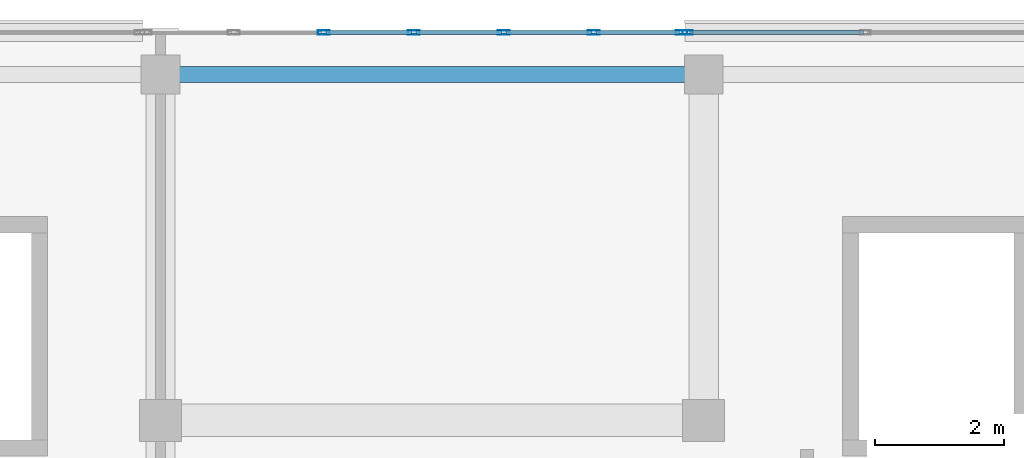
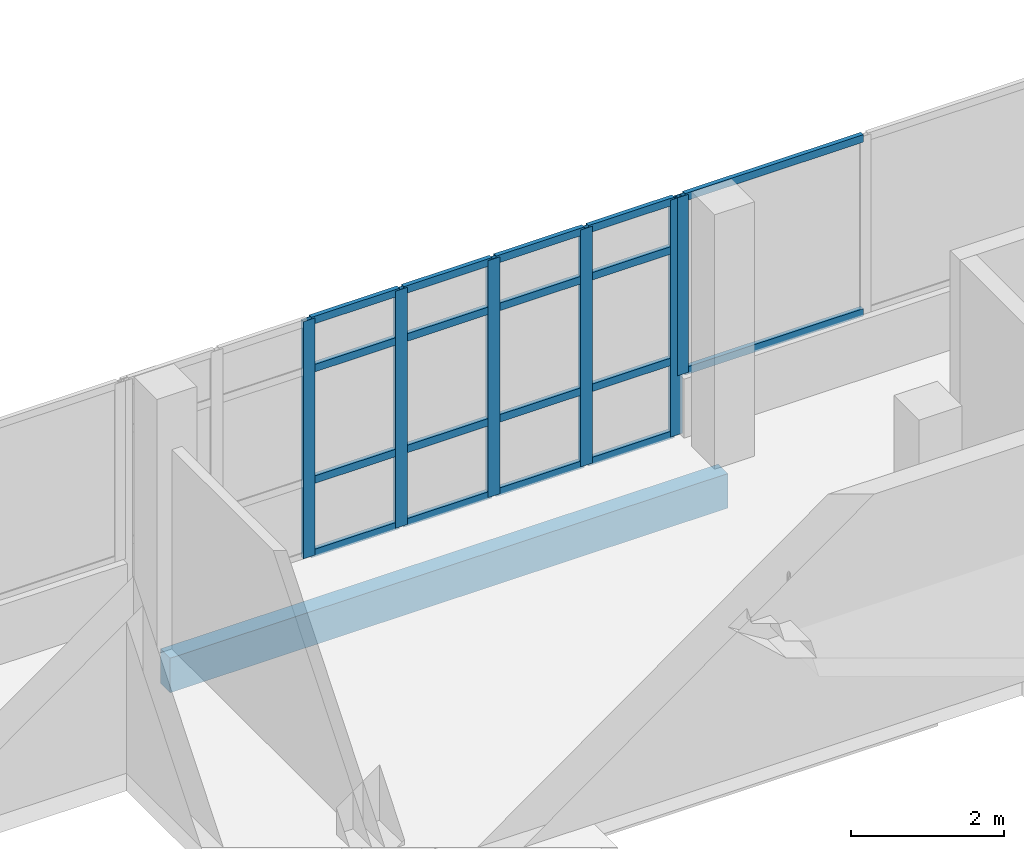
# One storey, part 37 of 78: 24 members, 1 beam, 2 elements without a shape of their own.
"""IFC4 building model written with IfcOpenShell, lengths in metres."""

from ifc_helpers import new_model, si_unit, direction, frame, origin, origin_2d, place, context, subcontext, project, spatial, rectangle, hollow_rectangle, extrude, material, material_profile, profile_set, type_object, element, aggregate, save


model = new_model("IFC4")

# Units and contexts
model_context = context("Model", 3, precision=1e-05, world=origin(), true_north=direction((0.0, 1.0)))
body_context = subcontext(model_context, "Body", "Model", "MODEL_VIEW")
ifc_project = project(units=[si_unit("LENGTHUNIT", "METRE"), si_unit("AREAUNIT", "SQUARE_METRE"), si_unit("VOLUMEUNIT", "CUBIC_METRE"), si_unit("PLANEANGLEUNIT", "RADIAN"), si_unit("MASSUNIT", "GRAM", prefix="KILO")], contexts=[model_context])

# Site, building, storey
site_placement = place(None, origin())
site = spatial("IfcSite", under=ifc_project, at=site_placement, CompositionType="ELEMENT")
building_placement = place(site_placement, origin())
building = spatial("IfcBuilding", under=site, at=building_placement, Name="Selatvlak General Hospital", CompositionType="ELEMENT")
storey_placement = place(building_placement, frame((0.0, 0.0, 23.25)))
storey = spatial("IfcBuildingStorey", under=building, at=storey_placement, Name="L05", CompositionType="ELEMENT", Elevation=23.25)

# Beam
ifc_material_1 = material(Name="Concrete C40/50", Category="concrete")
ifc_material_profile_1 = material_profile(ifc_material_1, rectangle(XDim=0.25, YDim=0.550048828125, at=origin_2d()), Name="RC-SP 250x550")
ifc_profile_set_1 = profile_set([ifc_material_profile_1], Name="Concrete C40/50")
beam_type = type_object("IfcBeamType", Name="BM-SP2", PredefinedType="SPANDREL", material=ifc_profile_set_1)
beam_placement = place(storey_placement, frame((132.0, 119.35009765625, -0.554931640625), z_axis=(1.0, 0.0, 0.0), x_axis=(0.0, 1.0, 0.0)))
element("IfcBeam", 1, at=beam_placement, inside=storey, type_object=beam_type, Name="Beam BMR-L05-1983", PredefinedType="SPANDREL", context=body_context, shape_type="SweptSolid", body=[
    extrude(rectangle(XDim=0.25, YDim=0.550048828125, at=origin_2d()), origin(), (0.0, 0.0, 1.0), 8.39990234375),
])

# Curtain wall, member
ifc_material_2 = material(Name="Solar-control Low-E double glazing", Category="glass")
curtain_wall_type_1 = type_object("IfcCurtainWallType", Name="CW-CW-01", PredefinedType="USERDEFINED", material=ifc_material_2)
curtain_wall_1_placement = place(storey_placement, origin())
curtain_wall_1 = element("IfcCurtainWall", 2, at=curtain_wall_1_placement, inside=storey, type_object=curtain_wall_type_1, Name="Glazed facade curtain wall CW-L05-0561", ObjectType="UNITISED CURTAIN WALL", PredefinedType="USERDEFINED")
ifc_material_3 = material(Name="Dark anodised aluminium mullion", Category="aluminium")
ifc_material_profile_2 = material_profile(ifc_material_3, hollow_rectangle(XDim=0.06494140625, YDim=0.159912109375, WallThickness=0.00390625, at=origin_2d()), Name="AL-MUL 65x160x4")
ifc_profile_set_2 = profile_set([ifc_material_profile_2], Name="Dark anodised aluminium mullion")
member_type_1 = type_object("IfcMemberType", Name="CWM-01", PredefinedType="MULLION", material=ifc_profile_set_2)
member_1_placement = place(storey_placement, frame((140.152587890625, 120.0, 0.93994140625), z_axis=(0.0, 0.0, 1.0), x_axis=(0.0, 1.0, 0.0)))
member_1 = element("IfcMember", 3, at=member_1_placement, type_object=member_type_1, Name="CW-01 mullion 1", PredefinedType="MULLION", context=body_context, shape_type="SweptSolid", body=[
    extrude(hollow_rectangle(XDim=0.06494140625, YDim=0.159912109375, WallThickness=0.00390625, at=origin_2d()), origin(), (0.0, 0.0, 1.0), 2.8349609375),
])

# Curtain wall, members
curtain_wall_type_2 = type_object("IfcCurtainWallType", Name="CW-CW-04", PredefinedType="USERDEFINED", material=ifc_material_2)
curtain_wall_2_placement = place(storey_placement, origin())
curtain_wall_2 = element("IfcCurtainWall", 4, at=curtain_wall_2_placement, inside=storey, type_object=curtain_wall_type_2, Name="Glazed facade curtain wall CW-L05-0560", ObjectType="STICK GLAZING WALL", PredefinedType="USERDEFINED")
ifc_material_profile_3 = material_profile(ifc_material_3, hollow_rectangle(XDim=0.06494140625, YDim=0.179931640625, WallThickness=0.00439453125, at=origin_2d()), Name="AL-MUL 65x180x4.5")
ifc_profile_set_3 = profile_set([ifc_material_profile_3], Name="Dark anodised aluminium mullion")
member_type_2 = type_object("IfcMemberType", Name="CWM-02", PredefinedType="MULLION", material=ifc_profile_set_3)
member_2_placement = place(storey_placement, frame((134.52392578125, 120.0, 0.0), z_axis=(0.0, 0.0, 1.0), x_axis=(0.0, 1.0, 0.0)))
member_2 = element("IfcMember", 5, at=member_2_placement, type_object=member_type_2, Name="CW-04 mullion 3", PredefinedType="MULLION", context=body_context, shape_type="SweptSolid", body=[
    extrude(hollow_rectangle(XDim=0.06494140625, YDim=0.179931640625, WallThickness=0.00439453125, at=origin_2d()), origin(), (0.0, 0.0, 1.0), 3.77490234375),
])
member_3_placement = place(storey_placement, frame((135.91552734375, 120.0, 0.0), z_axis=(0.0, 0.0, 1.0), x_axis=(0.0, 1.0, 0.0)))
member_3 = element("IfcMember", 6, at=member_3_placement, type_object=member_type_2, Name="CW-04 mullion 4", PredefinedType="MULLION", context=body_context, shape_type="SweptSolid", body=[
    extrude(hollow_rectangle(XDim=0.06494140625, YDim=0.179931640625, WallThickness=0.00439453125, at=origin_2d()), origin(), (0.0, 0.0, 1.0), 3.77490234375),
])
member_4_placement = place(storey_placement, frame((137.306884765625, 120.0, 0.0), z_axis=(0.0, 0.0, 1.0), x_axis=(0.0, 1.0, 0.0)))
member_4 = element("IfcMember", 7, at=member_4_placement, type_object=member_type_2, Name="CW-04 mullion 5", PredefinedType="MULLION", context=body_context, shape_type="SweptSolid", body=[
    extrude(hollow_rectangle(XDim=0.06494140625, YDim=0.179931640625, WallThickness=0.00439453125, at=origin_2d()), origin(), (0.0, 0.0, 1.0), 3.77490234375),
])
member_5_placement = place(storey_placement, frame((138.698486328125, 120.0, 0.0), z_axis=(0.0, 0.0, 1.0), x_axis=(0.0, 1.0, 0.0)))
member_5 = element("IfcMember", 8, at=member_5_placement, type_object=member_type_2, Name="CW-04 mullion 6", PredefinedType="MULLION", context=body_context, shape_type="SweptSolid", body=[
    extrude(hollow_rectangle(XDim=0.06494140625, YDim=0.179931640625, WallThickness=0.00439453125, at=origin_2d()), origin(), (0.0, 0.0, 1.0), 3.77490234375),
])
member_6_placement = place(storey_placement, frame((140.0576171875, 120.0, 0.0), z_axis=(0.0, 0.0, 1.0), x_axis=(0.0, 1.0, 0.0)))
member_6 = element("IfcMember", 9, at=member_6_placement, type_object=member_type_2, Name="CW-04 mullion 7", PredefinedType="MULLION", context=body_context, shape_type="SweptSolid", body=[
    extrude(hollow_rectangle(XDim=0.06494140625, YDim=0.179931640625, WallThickness=0.00439453125, at=origin_2d()), origin(), (0.0, 0.0, 1.0), 3.77490234375),
])
ifc_material_profile_4 = material_profile(ifc_material_3, hollow_rectangle(XDim=0.06494140625, YDim=0.1201171875, WallThickness=0.00390625, at=origin_2d()), Name="AL-TRN 65x120x4")
ifc_profile_set_4 = profile_set([ifc_material_profile_4], Name="Dark anodised aluminium mullion")
member_type_3 = type_object("IfcMemberType", Name="CWT-01", PredefinedType="USERDEFINED", material=ifc_profile_set_4)
member_7_placement = place(storey_placement, frame((134.556396484375, 120.0, 0.032470703125), z_axis=(1.0, 0.0, 0.0), x_axis=(0.0, 1.0, 0.0)))
member_7 = element("IfcMember", 10, at=member_7_placement, type_object=member_type_3, Name="CW-04 transom 3.1", ObjectType="TRANSOM", PredefinedType="USERDEFINED", context=body_context, shape_type="SweptSolid", body=[
    extrude(hollow_rectangle(XDim=0.06494140625, YDim=0.1201171875, WallThickness=0.00390625, at=origin_2d()), origin(), (0.0, 0.0, 1.0), 1.32666015625),
])
member_8_placement = place(storey_placement, frame((134.556396484375, 120.0, 1.199951171875), z_axis=(1.0, 0.0, 0.0), x_axis=(0.0, 1.0, 0.0)))
member_8 = element("IfcMember", 11, at=member_8_placement, type_object=member_type_3, Name="CW-04 transom 3.2", ObjectType="TRANSOM", PredefinedType="USERDEFINED", context=body_context, shape_type="SweptSolid", body=[
    extrude(hollow_rectangle(XDim=0.06494140625, YDim=0.1201171875, WallThickness=0.00390625, at=origin_2d()), origin(), (0.0, 0.0, 1.0), 1.32666015625),
])
member_9_placement = place(storey_placement, frame((134.556396484375, 120.0, 2.97509765625), z_axis=(1.0, 0.0, 0.0), x_axis=(0.0, 1.0, 0.0)))
member_9 = element("IfcMember", 12, at=member_9_placement, type_object=member_type_3, Name="CW-04 transom 3.3", ObjectType="TRANSOM", PredefinedType="USERDEFINED", context=body_context, shape_type="SweptSolid", body=[
    extrude(hollow_rectangle(XDim=0.06494140625, YDim=0.1201171875, WallThickness=0.00390625, at=origin_2d()), origin(), (0.0, 0.0, 1.0), 1.32666015625),
])
member_10_placement = place(storey_placement, frame((134.556396484375, 120.0, 3.742431640625), z_axis=(1.0, 0.0, 0.0), x_axis=(0.0, 1.0, 0.0)))
member_10 = element("IfcMember", 13, at=member_10_placement, type_object=member_type_3, Name="CW-04 transom 3.4", ObjectType="TRANSOM", PredefinedType="USERDEFINED", context=body_context, shape_type="SweptSolid", body=[
    extrude(hollow_rectangle(XDim=0.06494140625, YDim=0.1201171875, WallThickness=0.00390625, at=origin_2d()), origin(), (0.0, 0.0, 1.0), 1.32666015625),
])
member_11_placement = place(storey_placement, frame((135.947998046875, 120.0, 0.032470703125), z_axis=(1.0, 0.0, 0.0), x_axis=(0.0, 1.0, 0.0)))
member_11 = element("IfcMember", 14, at=member_11_placement, type_object=member_type_3, Name="CW-04 transom 4.1", ObjectType="TRANSOM", PredefinedType="USERDEFINED", context=body_context, shape_type="SweptSolid", body=[
    extrude(hollow_rectangle(XDim=0.06494140625, YDim=0.1201171875, WallThickness=0.00390625, at=origin_2d()), origin(), (0.0, 0.0, 1.0), 1.326416015625),
])
member_12_placement = place(storey_placement, frame((135.947998046875, 120.0, 1.199951171875), z_axis=(1.0, 0.0, 0.0), x_axis=(0.0, 1.0, 0.0)))
member_12 = element("IfcMember", 15, at=member_12_placement, type_object=member_type_3, Name="CW-04 transom 4.2", ObjectType="TRANSOM", PredefinedType="USERDEFINED", context=body_context, shape_type="SweptSolid", body=[
    extrude(hollow_rectangle(XDim=0.06494140625, YDim=0.1201171875, WallThickness=0.00390625, at=origin_2d()), origin(), (0.0, 0.0, 1.0), 1.326416015625),
])
member_13_placement = place(storey_placement, frame((135.947998046875, 120.0, 2.97509765625), z_axis=(1.0, 0.0, 0.0), x_axis=(0.0, 1.0, 0.0)))
member_13 = element("IfcMember", 16, at=member_13_placement, type_object=member_type_3, Name="CW-04 transom 4.3", ObjectType="TRANSOM", PredefinedType="USERDEFINED", context=body_context, shape_type="SweptSolid", body=[
    extrude(hollow_rectangle(XDim=0.06494140625, YDim=0.1201171875, WallThickness=0.00390625, at=origin_2d()), origin(), (0.0, 0.0, 1.0), 1.326416015625),
])
member_14_placement = place(storey_placement, frame((135.947998046875, 120.0, 3.742431640625), z_axis=(1.0, 0.0, 0.0), x_axis=(0.0, 1.0, 0.0)))
member_14 = element("IfcMember", 17, at=member_14_placement, type_object=member_type_3, Name="CW-04 transom 4.4", ObjectType="TRANSOM", PredefinedType="USERDEFINED", context=body_context, shape_type="SweptSolid", body=[
    extrude(hollow_rectangle(XDim=0.06494140625, YDim=0.1201171875, WallThickness=0.00390625, at=origin_2d()), origin(), (0.0, 0.0, 1.0), 1.326416015625),
])
member_15_placement = place(storey_placement, frame((137.339599609375, 120.0, 0.032470703125), z_axis=(1.0, 0.0, 0.0), x_axis=(0.0, 1.0, 0.0)))
member_15 = element("IfcMember", 18, at=member_15_placement, type_object=member_type_3, Name="CW-04 transom 5.1", ObjectType="TRANSOM", PredefinedType="USERDEFINED", context=body_context, shape_type="SweptSolid", body=[
    extrude(hollow_rectangle(XDim=0.06494140625, YDim=0.1201171875, WallThickness=0.00390625, at=origin_2d()), origin(), (0.0, 0.0, 1.0), 1.326416015625),
])
member_16_placement = place(storey_placement, frame((137.339599609375, 120.0, 1.199951171875), z_axis=(1.0, 0.0, 0.0), x_axis=(0.0, 1.0, 0.0)))
member_16 = element("IfcMember", 19, at=member_16_placement, type_object=member_type_3, Name="CW-04 transom 5.2", ObjectType="TRANSOM", PredefinedType="USERDEFINED", context=body_context, shape_type="SweptSolid", body=[
    extrude(hollow_rectangle(XDim=0.06494140625, YDim=0.1201171875, WallThickness=0.00390625, at=origin_2d()), origin(), (0.0, 0.0, 1.0), 1.326416015625),
])
member_17_placement = place(storey_placement, frame((137.339599609375, 120.0, 2.97509765625), z_axis=(1.0, 0.0, 0.0), x_axis=(0.0, 1.0, 0.0)))
member_17 = element("IfcMember", 20, at=member_17_placement, type_object=member_type_3, Name="CW-04 transom 5.3", ObjectType="TRANSOM", PredefinedType="USERDEFINED", context=body_context, shape_type="SweptSolid", body=[
    extrude(hollow_rectangle(XDim=0.06494140625, YDim=0.1201171875, WallThickness=0.00390625, at=origin_2d()), origin(), (0.0, 0.0, 1.0), 1.326416015625),
])
member_18_placement = place(storey_placement, frame((137.339599609375, 120.0, 3.742431640625), z_axis=(1.0, 0.0, 0.0), x_axis=(0.0, 1.0, 0.0)))
member_18 = element("IfcMember", 21, at=member_18_placement, type_object=member_type_3, Name="CW-04 transom 5.4", ObjectType="TRANSOM", PredefinedType="USERDEFINED", context=body_context, shape_type="SweptSolid", body=[
    extrude(hollow_rectangle(XDim=0.06494140625, YDim=0.1201171875, WallThickness=0.00390625, at=origin_2d()), origin(), (0.0, 0.0, 1.0), 1.326416015625),
])
member_19_placement = place(storey_placement, frame((138.73095703125, 120.0, 0.032470703125), z_axis=(1.0, 0.0, 0.0), x_axis=(0.0, 1.0, 0.0)))
member_19 = element("IfcMember", 22, at=member_19_placement, type_object=member_type_3, Name="CW-04 transom 6.1", ObjectType="TRANSOM", PredefinedType="USERDEFINED", context=body_context, shape_type="SweptSolid", body=[
    extrude(hollow_rectangle(XDim=0.06494140625, YDim=0.1201171875, WallThickness=0.00390625, at=origin_2d()), origin(), (0.0, 0.0, 1.0), 1.2939453125),
])
member_20_placement = place(storey_placement, frame((138.73095703125, 120.0, 1.199951171875), z_axis=(1.0, 0.0, 0.0), x_axis=(0.0, 1.0, 0.0)))
member_20 = element("IfcMember", 23, at=member_20_placement, type_object=member_type_3, Name="CW-04 transom 6.2", ObjectType="TRANSOM", PredefinedType="USERDEFINED", context=body_context, shape_type="SweptSolid", body=[
    extrude(hollow_rectangle(XDim=0.06494140625, YDim=0.1201171875, WallThickness=0.00390625, at=origin_2d()), origin(), (0.0, 0.0, 1.0), 1.2939453125),
])
member_21_placement = place(storey_placement, frame((138.73095703125, 120.0, 2.97509765625), z_axis=(1.0, 0.0, 0.0), x_axis=(0.0, 1.0, 0.0)))
member_21 = element("IfcMember", 24, at=member_21_placement, type_object=member_type_3, Name="CW-04 transom 6.3", ObjectType="TRANSOM", PredefinedType="USERDEFINED", context=body_context, shape_type="SweptSolid", body=[
    extrude(hollow_rectangle(XDim=0.06494140625, YDim=0.1201171875, WallThickness=0.00390625, at=origin_2d()), origin(), (0.0, 0.0, 1.0), 1.2939453125),
])
member_22_placement = place(storey_placement, frame((138.73095703125, 120.0, 3.742431640625), z_axis=(1.0, 0.0, 0.0), x_axis=(0.0, 1.0, 0.0)))
member_22 = element("IfcMember", 25, at=member_22_placement, type_object=member_type_3, Name="CW-04 transom 6.4", ObjectType="TRANSOM", PredefinedType="USERDEFINED", context=body_context, shape_type="SweptSolid", body=[
    extrude(hollow_rectangle(XDim=0.06494140625, YDim=0.1201171875, WallThickness=0.00390625, at=origin_2d()), origin(), (0.0, 0.0, 1.0), 1.2939453125),
])
aggregate(curtain_wall_2, [member_2, member_3, member_4, member_5, member_6, member_7, member_8, member_9, member_10, member_11, member_12, member_13, member_14, member_15, member_16, member_17, member_18, member_19, member_20, member_21, member_22])

# Member
member_23_placement = place(storey_placement, frame((140.18505859375, 120.0, 0.972412109375), z_axis=(1.0, 0.0, 0.0), x_axis=(0.0, 1.0, 0.0)))
member_23 = element("IfcMember", 26, at=member_23_placement, type_object=member_type_3, Name="CW-01 transom 1.1", ObjectType="TRANSOM", PredefinedType="USERDEFINED", context=body_context, shape_type="SweptSolid", body=[
    extrude(hollow_rectangle(XDim=0.06494140625, YDim=0.1201171875, WallThickness=0.00390625, at=origin_2d()), origin(), (0.0, 0.0, 1.0), 2.68505859375),
])

member_24_placement = place(storey_placement, frame((140.18505859375, 120.0, 3.742431640625), z_axis=(1.0, 0.0, 0.0), x_axis=(0.0, 1.0, 0.0)))
member_24 = element("IfcMember", 27, at=member_24_placement, type_object=member_type_3, Name="CW-01 transom 1.2", ObjectType="TRANSOM", PredefinedType="USERDEFINED", context=body_context, shape_type="SweptSolid", body=[
    extrude(hollow_rectangle(XDim=0.06494140625, YDim=0.1201171875, WallThickness=0.00390625, at=origin_2d()), origin(), (0.0, 0.0, 1.0), 2.68505859375),
])

aggregate(curtain_wall_1, [member_1, member_23, member_24])

save(model, "model.ifc")
